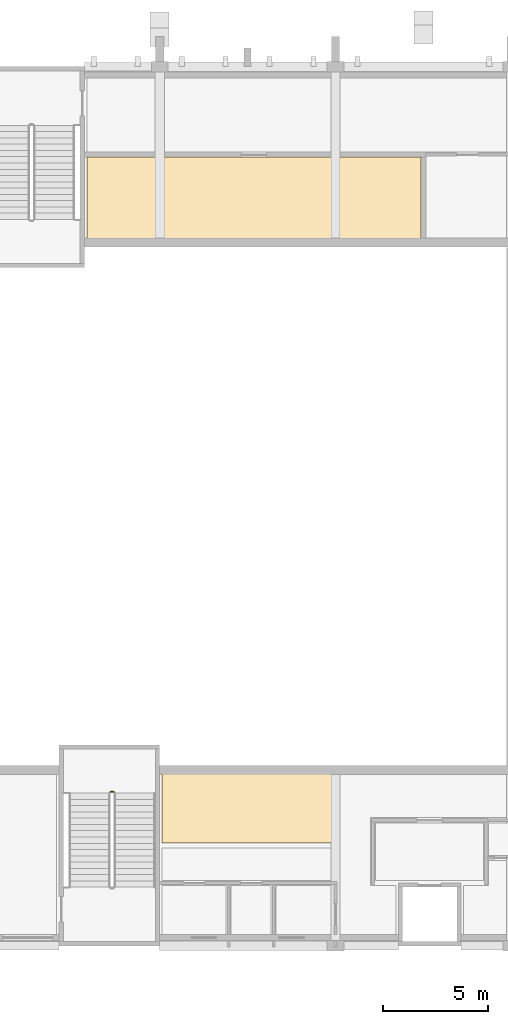
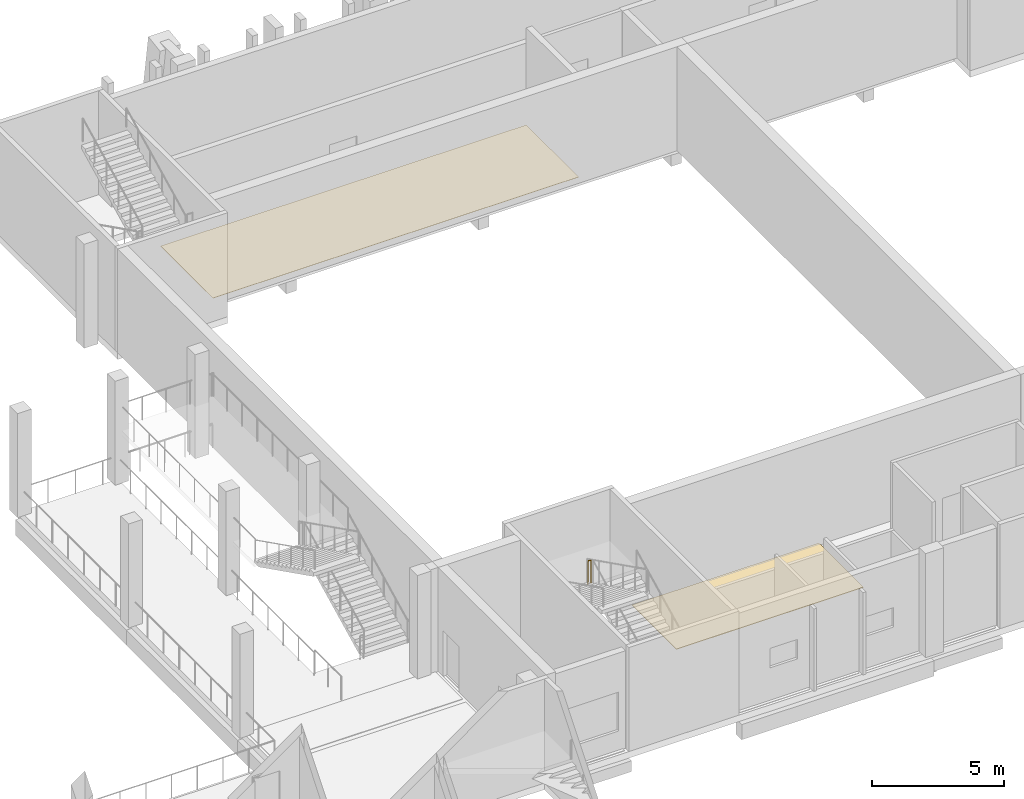
# One storey, part 79 of 91: 2 coverings, 1 railing.
"""IFC4 building model written with IfcOpenShell, lengths in metres."""

from ifc_helpers import new_model, si_unit, direction, frame, origin, origin_2d, place, context, subcontext, project, spatial, polyline, circle, outline, extrude, material, layer, layer_set, type_object, element, save


model = new_model("IFC4")

# Units and contexts
model_context = context("Model", 3, precision=1e-05, world=origin(), true_north=direction((0.0, 1.0)))
body_context = subcontext(model_context, "Body", "Model", "MODEL_VIEW")
ifc_project = project(units=[si_unit("LENGTHUNIT", "METRE"), si_unit("AREAUNIT", "SQUARE_METRE"), si_unit("VOLUMEUNIT", "CUBIC_METRE"), si_unit("PLANEANGLEUNIT", "RADIAN"), si_unit("MASSUNIT", "GRAM", prefix="KILO")], contexts=[model_context])

# Site, building, storey
site_placement = place(None, origin())
site = spatial("IfcSite", under=ifc_project, at=site_placement, CompositionType="ELEMENT")
building_placement = place(site_placement, origin())
building = spatial("IfcBuilding", under=site, at=building_placement, Name="Kiln Court Media Centre", CompositionType="ELEMENT")
storey_placement = place(building_placement, frame((0.0, 0.0, 5.39990234375)))
storey = spatial("IfcBuildingStorey", under=building, at=storey_placement, Name="L01", CompositionType="ELEMENT", Elevation=5.39990234375)

# Coverings
ifc_material_1 = material(Name="Carpet tile")
ifc_layer_1 = layer(ifc_material_1, 0.014892578125)
ifc_layer_set_1 = layer_set([ifc_layer_1], Name="Carpet tile floor finish 15")
covering_type_1 = type_object("IfcCoveringType", Name="Carpet tile floor finish 15", PredefinedType="FLOORING", material=ifc_layer_set_1)
covering_1_placement = place(storey_placement, origin())
element("IfcCovering", 1, at=covering_1_placement, inside=storey, type_object=covering_type_1, Name="Projection Room Screen 1 floor finish", PredefinedType="FLOORING", context=body_context, shape_type="SweptSolid", body=[
    extrude(outline(polyline([(79.679931640625, 62.8798828125), (63.719970703125, 62.8798828125), (63.719970703125, 58.919921875), (79.679931640625, 58.919921875), (79.679931640625, 62.8798828125)])), origin(), (0.0, 0.0, 1.0), 0.01513671875),
])
ifc_material_2 = material(Name="Terrazzo")
ifc_layer_2 = layer(ifc_material_2, 0.02490234375)
ifc_layer_set_2 = layer_set([ifc_layer_2], Name="Polished terrazzo floor finish 25")
covering_type_2 = type_object("IfcCoveringType", Name="Polished terrazzo floor finish 25", PredefinedType="FLOORING", material=ifc_layer_set_2)
covering_2_placement = place(storey_placement, origin())
element("IfcCovering", 2, at=covering_2_placement, inside=storey, type_object=covering_type_2, Name="Lounge Frontage floor finish", PredefinedType="FLOORING", context=body_context, shape_type="SweptSolid", body=[
    extrude(outline(polyline([(67.320068359375, 30.1201171875), (75.47998046875, 30.1201171875), (75.47998046875, 33.47998046875), (67.320068359375, 33.47998046875), (67.320068359375, 30.1201171875)])), origin(), (0.0, 0.0, 1.0), 0.025146484375),
])

# Railing
ifc_material_3 = material(Name="Steel S275", Category="steel")
railing_type = type_object("IfcRailingType", Name="Steel S275 stair guard 1100", PredefinedType="GUARDRAIL", material=ifc_material_3)
railing_placement = place(storey_placement, frame((65.0, 32.550048828125, 2.400146484375)))
element("IfcRailing", 3, at=railing_placement, inside=storey, type_object=railing_type, Name="ST-09 stair guard", PredefinedType="GUARDRAIL", context=body_context, shape_type="SweptSolid", body=[
    extrude(circle(Radius=0.02392578125, at=origin_2d()), frame((0.0, 0.0, 1.076171875), z_axis=(-1.0, 0.0, 0.0), x_axis=(0.0, -1.0, 0.0)), (0.0, 0.0, 1.0), 0.14990234375),
    extrude(circle(Radius=0.02099609375, at=origin_2d()), origin(), (0.0, 0.0, 1.0), 1.052001953125),
    extrude(circle(Radius=0.02099609375, at=origin_2d()), frame((-0.14990234375, 0.0, 0.0)), (0.0, 0.0, 1.0), 1.052001953125),
])

save(model, "model.ifc")
